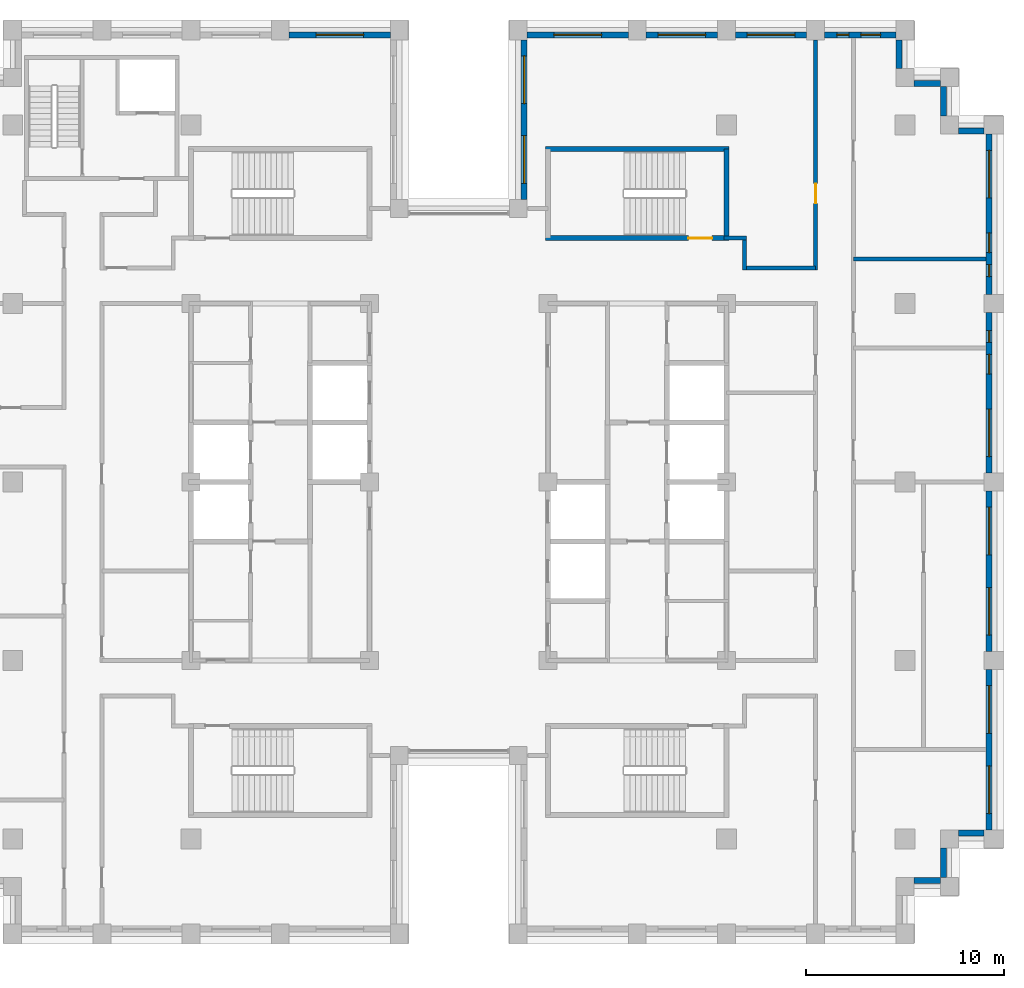
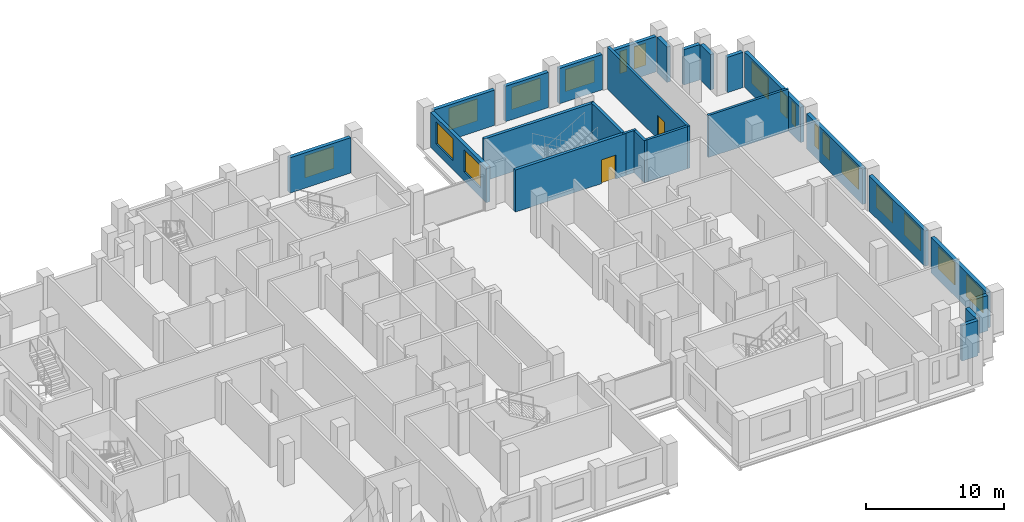
# One storey, part 11 of 15: 25 walls, 18 windows, 2 doors, 20 openings.
"""IFC4 building model written with IfcOpenShell, lengths in metres."""

from ifc_helpers import new_model, si_unit, direction, frame, frame_2d, origin, place, context, subcontext, project, spatial, rectangle, extrude, material, layer, layer_set, type_object, element, fill, save


model = new_model("IFC4")

# Units and contexts
model_context = context("Model", 3, precision=1e-05, world=origin(), true_north=direction((0.0, 1.0)))
body_context = subcontext(model_context, "Body", "Model", "MODEL_VIEW")
ifc_project = project(units=[si_unit("LENGTHUNIT", "METRE"), si_unit("AREAUNIT", "SQUARE_METRE"), si_unit("VOLUMEUNIT", "CUBIC_METRE"), si_unit("PLANEANGLEUNIT", "RADIAN"), si_unit("MASSUNIT", "GRAM", prefix="KILO")], contexts=[model_context])

# Site, building, storey
site_placement = place(None, origin())
site = spatial("IfcSite", under=ifc_project, at=site_placement, CompositionType="ELEMENT")
building_placement = place(site_placement, origin())
building = spatial("IfcBuilding", under=site, at=building_placement, Name="Corbelhall Arena Tower", CompositionType="ELEMENT")
storey_placement = place(building_placement, frame((0.0, 0.0, 192.0)))
storey = spatial("IfcBuildingStorey", under=building, at=storey_placement, Name="L39", CompositionType="ELEMENT", Elevation=192.0)

# Walls
ifc_material_1 = material(Name="Precast concrete C40/50 with granite facing", Category="masonry")
ifc_layer_1 = layer(ifc_material_1, 0.300048828125)
ifc_layer_set_1 = layer_set([ifc_layer_1], Name="EV-IW1 Infill panel 300")
wall_type_1 = type_object("IfcWallType", Name="EV-IW1 Infill panel 300", PredefinedType="SOLIDWALL", material=ifc_layer_set_1)
wall_1_placement = place(storey_placement, frame((22.949951171875, -20.10009765625, 0.0), z_axis=(0.0, 0.0, 1.0), x_axis=(1.0, 0.0, 0.0)))
element("IfcWall", 1, at=wall_1_placement, inside=storey, type_object=wall_type_1, Name="Infill panel IW1", PredefinedType="SOLIDWALL", context=body_context, shape_type="SweptSolid", body=[
    extrude(rectangle(XDim=1.35009765625, YDim=0.300048828125, at=frame_2d((0.675048828125, 0.0))), origin(), (0.0, 0.0, 1.0), 3.1201171875),
])
wall_2_placement = place(storey_placement, frame((24.449951171875, -19.949951171875, 0.0), z_axis=(0.0, 0.0, 1.0), x_axis=(0.0, 1.0, 0.0)))
element("IfcWall", 2, at=wall_2_placement, inside=storey, type_object=wall_type_1, Name="Infill panel IW1", PredefinedType="SOLIDWALL", context=body_context, shape_type="SweptSolid", body=[
    extrude(rectangle(XDim=1.5, YDim=0.300048828125, at=frame_2d((0.75, 0.0))), origin(), (0.0, 0.0, 1.0), 3.1201171875),
])
wall_3_placement = place(storey_placement, frame((25.199951171875, -17.699951171875, 0.0), z_axis=(0.0, 0.0, 1.0), x_axis=(1.0, 0.0, 0.0)))
element("IfcWall", 3, at=wall_3_placement, inside=storey, type_object=wall_type_1, Name="Infill panel IW1", PredefinedType="SOLIDWALL", context=body_context, shape_type="SweptSolid", body=[
    extrude(rectangle(XDim=1.300048828125, YDim=0.300048828125, at=frame_2d((0.64990234375, 0.0))), origin(), (0.0, 0.0, 1.0), 3.1201171875),
])

# Wall, openings, windows
wall_4_placement = place(storey_placement, frame((26.75, -17.550048828125, 0.0), z_axis=(0.0, 0.0, 1.0), x_axis=(0.0, 1.0, 0.0)))
wall_4 = element("IfcWall", 4, at=wall_4_placement, inside=storey, type_object=wall_type_1, Name="Infill panel IW1", PredefinedType="SOLIDWALL", context=body_context, shape_type="SweptSolid", body=[
    extrude(rectangle(XDim=8.10009765625, YDim=0.300048828125, at=frame_2d((4.050048828125, 0.0))), origin(), (0.0, 0.0, 1.0), 3.1201171875),
])
opening_1_placement = place(wall_4_placement, frame((0.824951171875, 0.0, 0.800048828125)))
opening_1 = element("IfcOpeningElement", 5, at=opening_1_placement, cuts=wall_4, Name="Opening WN1", PredefinedType="OPENING", context=body_context, shape_type="SweptSolid", body=[
    extrude(rectangle(XDim=2.39990234375, YDim=1.949951171875, at=frame_2d((1.199951171875, 0.97509765625))), frame((0.0, 0.14990234375, 0.0), z_axis=(0.0, -1.0, 0.0), x_axis=(1.0, 0.0, 0.0)), (0.0, 0.0, 1.0), 0.300048828125),
])
opening_2_placement = place(wall_4_placement, frame((4.875, 0.0, 0.800048828125)))
opening_2 = element("IfcOpeningElement", 6, at=opening_2_placement, cuts=wall_4, Name="Opening WN1", PredefinedType="OPENING", context=body_context, shape_type="SweptSolid", body=[
    extrude(rectangle(XDim=2.39990234375, YDim=1.949951171875, at=frame_2d((1.199951171875, 0.97509765625))), frame((0.0, 0.14990234375, 0.0), z_axis=(0.0, -1.0, 0.0), x_axis=(1.0, 0.0, 0.0)), (0.0, 0.0, 1.0), 0.300048828125),
])
ifc_material_2 = material(Name="Aluminium black anodised", Category="aluminium")
window_type_1 = type_object("IfcWindowType", Name="EV-WN1 Office window", PartitioningType="SINGLE_PANEL", PredefinedType="WINDOW", material=ifc_material_2)
window_1_placement = place(opening_1_placement, origin())
window_1 = element("IfcWindow", 7, at=window_1_placement, inside=storey, type_object=window_type_1, Name="Window WN1", OverallHeight=1.949951171875, OverallWidth=2.39990234375, PartitioningType="SINGLE_PANEL", PredefinedType="WINDOW", context=body_context, shape_type="SweptSolid", body=[
    extrude(rectangle(XDim=2.39990234375, YDim=1.949951171875, at=frame_2d((1.199951171875, 0.97509765625))), frame((0.0, 0.030029296875, 0.0), z_axis=(0.0, -1.0, 0.0), x_axis=(1.0, 0.0, 0.0)), (0.0, 0.0, 1.0), 0.06005859375),
])
fill(opening_1, window_1)
window_2_placement = place(opening_2_placement, origin())
window_2 = element("IfcWindow", 8, at=window_2_placement, inside=storey, type_object=window_type_1, Name="Window WN1", OverallHeight=1.949951171875, OverallWidth=2.39990234375, PartitioningType="SINGLE_PANEL", PredefinedType="WINDOW", context=body_context, shape_type="SweptSolid", body=[
    extrude(rectangle(XDim=2.39990234375, YDim=1.949951171875, at=frame_2d((1.199951171875, 0.97509765625))), frame((0.0, 0.030029296875, 0.0), z_axis=(0.0, -1.0, 0.0), x_axis=(1.0, 0.0, 0.0)), (0.0, 0.0, 1.0), 0.06005859375),
])
fill(opening_2, window_2)

wall_5_placement = place(storey_placement, frame((26.75, -8.550048828125, 0.0), z_axis=(0.0, 0.0, 1.0), x_axis=(0.0, 1.0, 0.0)))
wall_5 = element("IfcWall", 9, at=wall_5_placement, inside=storey, type_object=wall_type_1, Name="Infill panel IW1", PredefinedType="SOLIDWALL", context=body_context, shape_type="SweptSolid", body=[
    extrude(rectangle(XDim=8.10009765625, YDim=0.300048828125, at=frame_2d((4.050048828125, 0.0))), origin(), (0.0, 0.0, 1.0), 3.1201171875),
])
opening_3_placement = place(wall_5_placement, frame((0.824951171875, 0.0, 0.800048828125)))
opening_3 = element("IfcOpeningElement", 10, at=opening_3_placement, cuts=wall_5, Name="Opening WN1", PredefinedType="OPENING", context=body_context, shape_type="SweptSolid", body=[
    extrude(rectangle(XDim=2.39990234375, YDim=1.949951171875, at=frame_2d((1.199951171875, 0.97509765625))), frame((0.0, 0.14990234375, 0.0), z_axis=(0.0, -1.0, 0.0), x_axis=(1.0, 0.0, 0.0)), (0.0, 0.0, 1.0), 0.300048828125),
])
opening_4_placement = place(wall_5_placement, frame((4.875, 0.0, 0.800048828125)))
opening_4 = element("IfcOpeningElement", 11, at=opening_4_placement, cuts=wall_5, Name="Opening WN1", PredefinedType="OPENING", context=body_context, shape_type="SweptSolid", body=[
    extrude(rectangle(XDim=2.39990234375, YDim=1.949951171875, at=frame_2d((1.199951171875, 0.97509765625))), frame((0.0, 0.14990234375, 0.0), z_axis=(0.0, -1.0, 0.0), x_axis=(1.0, 0.0, 0.0)), (0.0, 0.0, 1.0), 0.300048828125),
])
window_3_placement = place(opening_3_placement, origin())
window_3 = element("IfcWindow", 12, at=window_3_placement, inside=storey, type_object=window_type_1, Name="Window WN1", OverallHeight=1.949951171875, OverallWidth=2.39990234375, PartitioningType="SINGLE_PANEL", PredefinedType="WINDOW", context=body_context, shape_type="SweptSolid", body=[
    extrude(rectangle(XDim=2.39990234375, YDim=1.949951171875, at=frame_2d((1.199951171875, 0.97509765625))), frame((0.0, 0.030029296875, 0.0), z_axis=(0.0, -1.0, 0.0), x_axis=(1.0, 0.0, 0.0)), (0.0, 0.0, 1.0), 0.06005859375),
])
fill(opening_3, window_3)
window_4_placement = place(opening_4_placement, origin())
window_4 = element("IfcWindow", 13, at=window_4_placement, inside=storey, type_object=window_type_1, Name="Window WN1", OverallHeight=1.949951171875, OverallWidth=2.39990234375, PartitioningType="SINGLE_PANEL", PredefinedType="WINDOW", context=body_context, shape_type="SweptSolid", body=[
    extrude(rectangle(XDim=2.39990234375, YDim=1.949951171875, at=frame_2d((1.199951171875, 0.97509765625))), frame((0.0, 0.030029296875, 0.0), z_axis=(0.0, -1.0, 0.0), x_axis=(1.0, 0.0, 0.0)), (0.0, 0.0, 1.0), 0.06005859375),
])
fill(opening_4, window_4)

wall_6_placement = place(storey_placement, frame((26.75, 0.449951171875, 0.0), z_axis=(0.0, 0.0, 1.0), x_axis=(0.0, 1.0, 0.0)))
wall_6 = element("IfcWall", 14, at=wall_6_placement, inside=storey, type_object=wall_type_1, Name="Infill panel IW1", PredefinedType="SOLIDWALL", context=body_context, shape_type="SweptSolid", body=[
    extrude(rectangle(XDim=8.10009765625, YDim=0.300048828125, at=frame_2d((4.050048828125, 0.0))), origin(), (0.0, 0.0, 1.0), 3.1201171875),
])
opening_5_placement = place(wall_6_placement, frame((0.824951171875, 0.0, 0.800048828125)))
opening_5 = element("IfcOpeningElement", 15, at=opening_5_placement, cuts=wall_6, Name="Opening WN1", PredefinedType="OPENING", context=body_context, shape_type="SweptSolid", body=[
    extrude(rectangle(XDim=2.39990234375, YDim=1.949951171875, at=frame_2d((1.199951171875, 0.97509765625))), frame((0.0, 0.14990234375, 0.0), z_axis=(0.0, -1.0, 0.0), x_axis=(1.0, 0.0, 0.0)), (0.0, 0.0, 1.0), 0.300048828125),
])
opening_6_placement = place(wall_6_placement, frame((4.987548828125, 0.0, 0.800048828125)))
opening_6 = element("IfcOpeningElement", 16, at=opening_6_placement, cuts=wall_6, Name="Opening WN6", PredefinedType="OPENING", context=body_context, shape_type="SweptSolid", body=[
    extrude(rectangle(XDim=1.0, YDim=1.949951171875, at=frame_2d((0.5, 0.97509765625))), frame((0.0, 0.14990234375, 0.0), z_axis=(0.0, -1.0, 0.0), x_axis=(1.0, 0.0, 0.0)), (0.0, 0.0, 1.0), 0.300048828125),
])
opening_7_placement = place(wall_6_placement, frame((6.58740234375, 0.0, 0.800048828125)))
opening_7 = element("IfcOpeningElement", 17, at=opening_7_placement, cuts=wall_6, Name="Opening WN5", PredefinedType="OPENING", context=body_context, shape_type="SweptSolid", body=[
    extrude(rectangle(XDim=0.60009765625, YDim=1.949951171875, at=frame_2d((0.300048828125, 0.97509765625))), frame((0.0, 0.14990234375, 0.0), z_axis=(0.0, -1.0, 0.0), x_axis=(1.0, 0.0, 0.0)), (0.0, 0.0, 1.0), 0.300048828125),
])
window_5_placement = place(opening_5_placement, origin())
window_5 = element("IfcWindow", 18, at=window_5_placement, inside=storey, type_object=window_type_1, Name="Window WN1", OverallHeight=1.949951171875, OverallWidth=2.39990234375, PartitioningType="SINGLE_PANEL", PredefinedType="WINDOW", context=body_context, shape_type="SweptSolid", body=[
    extrude(rectangle(XDim=2.39990234375, YDim=1.949951171875, at=frame_2d((1.199951171875, 0.97509765625))), frame((0.0, 0.030029296875, 0.0), z_axis=(0.0, -1.0, 0.0), x_axis=(1.0, 0.0, 0.0)), (0.0, 0.0, 1.0), 0.06005859375),
])
fill(opening_5, window_5)
window_type_2 = type_object("IfcWindowType", Name="EV-WN5 Office window 600", PartitioningType="SINGLE_PANEL", PredefinedType="WINDOW", material=ifc_material_2)
window_6_placement = place(opening_7_placement, origin())
window_6 = element("IfcWindow", 19, at=window_6_placement, inside=storey, type_object=window_type_2, Name="Window WN5", OverallHeight=1.949951171875, OverallWidth=0.60009765625, PartitioningType="SINGLE_PANEL", PredefinedType="WINDOW", context=body_context, shape_type="SweptSolid", body=[
    extrude(rectangle(XDim=0.60009765625, YDim=1.949951171875, at=frame_2d((0.300048828125, 0.97509765625))), frame((0.0, 0.030029296875, 0.0), z_axis=(0.0, -1.0, 0.0), x_axis=(1.0, 0.0, 0.0)), (0.0, 0.0, 1.0), 0.06005859375),
])
fill(opening_7, window_6)
window_type_3 = type_object("IfcWindowType", Name="EV-WN6 Office window 1000", PartitioningType="SINGLE_PANEL", PredefinedType="WINDOW", material=ifc_material_2)
window_7_placement = place(opening_6_placement, origin())
window_7 = element("IfcWindow", 20, at=window_7_placement, inside=storey, type_object=window_type_3, Name="Window WN6", OverallHeight=1.949951171875, OverallWidth=1.0, PartitioningType="SINGLE_PANEL", PredefinedType="WINDOW", context=body_context, shape_type="SweptSolid", body=[
    extrude(rectangle(XDim=1.0, YDim=1.949951171875, at=frame_2d((0.5, 0.97509765625))), frame((0.0, 0.030029296875, 0.0), z_axis=(0.0, -1.0, 0.0), x_axis=(1.0, 0.0, 0.0)), (0.0, 0.0, 1.0), 0.06005859375),
])
fill(opening_6, window_7)

wall_7_placement = place(storey_placement, frame((26.75, 9.449951171875, 0.0), z_axis=(0.0, 0.0, 1.0), x_axis=(0.0, 1.0, 0.0)))
wall_7 = element("IfcWall", 21, at=wall_7_placement, inside=storey, type_object=wall_type_1, Name="Infill panel IW1", PredefinedType="SOLIDWALL", context=body_context, shape_type="SweptSolid", body=[
    extrude(rectangle(XDim=8.10009765625, YDim=0.300048828125, at=frame_2d((4.050048828125, 0.0))), origin(), (0.0, 0.0, 1.0), 3.1201171875),
])
opening_8_placement = place(wall_7_placement, frame((4.875, 0.0, 0.800048828125)))
opening_8 = element("IfcOpeningElement", 22, at=opening_8_placement, cuts=wall_7, Name="Opening WN1", PredefinedType="OPENING", context=body_context, shape_type="SweptSolid", body=[
    extrude(rectangle(XDim=2.39990234375, YDim=1.949951171875, at=frame_2d((1.199951171875, 0.97509765625))), frame((0.0, 0.14990234375, 0.0), z_axis=(0.0, -1.0, 0.0), x_axis=(1.0, 0.0, 0.0)), (0.0, 0.0, 1.0), 0.300048828125),
])
opening_9_placement = place(wall_7_placement, frame((0.91259765625, 0.0, 0.800048828125)))
opening_9 = element("IfcOpeningElement", 23, at=opening_9_placement, cuts=wall_7, Name="Opening WN5", PredefinedType="OPENING", context=body_context, shape_type="SweptSolid", body=[
    extrude(rectangle(XDim=0.60009765625, YDim=1.949951171875, at=frame_2d((0.300048828125, 0.97509765625))), frame((0.0, 0.14990234375, 0.0), z_axis=(0.0, -1.0, 0.0), x_axis=(1.0, 0.0, 0.0)), (0.0, 0.0, 1.0), 0.300048828125),
])
opening_10_placement = place(wall_7_placement, frame((2.112548828125, 0.0, 0.800048828125)))
opening_10 = element("IfcOpeningElement", 24, at=opening_10_placement, cuts=wall_7, Name="Opening WN6", PredefinedType="OPENING", context=body_context, shape_type="SweptSolid", body=[
    extrude(rectangle(XDim=1.0, YDim=1.949951171875, at=frame_2d((0.5, 0.97509765625))), frame((0.0, 0.14990234375, 0.0), z_axis=(0.0, -1.0, 0.0), x_axis=(1.0, 0.0, 0.0)), (0.0, 0.0, 1.0), 0.300048828125),
])
window_8_placement = place(opening_8_placement, origin())
window_8 = element("IfcWindow", 25, at=window_8_placement, inside=storey, type_object=window_type_1, Name="Window WN1", OverallHeight=1.949951171875, OverallWidth=2.39990234375, PartitioningType="SINGLE_PANEL", PredefinedType="WINDOW", context=body_context, shape_type="SweptSolid", body=[
    extrude(rectangle(XDim=2.39990234375, YDim=1.949951171875, at=frame_2d((1.199951171875, 0.97509765625))), frame((0.0, 0.030029296875, 0.0), z_axis=(0.0, -1.0, 0.0), x_axis=(1.0, 0.0, 0.0)), (0.0, 0.0, 1.0), 0.06005859375),
])
fill(opening_8, window_8)
window_9_placement = place(opening_9_placement, origin())
window_9 = element("IfcWindow", 26, at=window_9_placement, inside=storey, type_object=window_type_2, Name="Window WN5", OverallHeight=1.949951171875, OverallWidth=0.60009765625, PartitioningType="SINGLE_PANEL", PredefinedType="WINDOW", context=body_context, shape_type="SweptSolid", body=[
    extrude(rectangle(XDim=0.60009765625, YDim=1.949951171875, at=frame_2d((0.300048828125, 0.97509765625))), frame((0.0, 0.030029296875, 0.0), z_axis=(0.0, -1.0, 0.0), x_axis=(1.0, 0.0, 0.0)), (0.0, 0.0, 1.0), 0.06005859375),
])
fill(opening_9, window_9)
window_10_placement = place(opening_10_placement, origin())
window_10 = element("IfcWindow", 27, at=window_10_placement, inside=storey, type_object=window_type_3, Name="Window WN6", OverallHeight=1.949951171875, OverallWidth=1.0, PartitioningType="SINGLE_PANEL", PredefinedType="WINDOW", context=body_context, shape_type="SweptSolid", body=[
    extrude(rectangle(XDim=1.0, YDim=1.949951171875, at=frame_2d((0.5, 0.97509765625))), frame((0.0, 0.030029296875, 0.0), z_axis=(0.0, -1.0, 0.0), x_axis=(1.0, 0.0, 0.0)), (0.0, 0.0, 1.0), 0.06005859375),
])
fill(opening_10, window_10)

# Walls
wall_8_placement = place(storey_placement, frame((26.5, 17.699951171875, 0.0), z_axis=(0.0, 0.0, 1.0), x_axis=(-1.0, 0.0, 0.0)))
element("IfcWall", 28, at=wall_8_placement, inside=storey, type_object=wall_type_1, Name="Infill panel IW1", PredefinedType="SOLIDWALL", context=body_context, shape_type="SweptSolid", body=[
    extrude(rectangle(XDim=1.300048828125, YDim=0.300048828125, at=frame_2d((0.64990234375, 0.0))), origin(), (0.0, 0.0, 1.0), 3.1201171875),
])
wall_9_placement = place(storey_placement, frame((24.449951171875, 18.449951171875, 0.0), z_axis=(0.0, 0.0, 1.0), x_axis=(0.0, 1.0, 0.0)))
element("IfcWall", 29, at=wall_9_placement, inside=storey, type_object=wall_type_1, Name="Infill panel IW1", PredefinedType="SOLIDWALL", context=body_context, shape_type="SweptSolid", body=[
    extrude(rectangle(XDim=1.5, YDim=0.300048828125, at=frame_2d((0.75, 0.0))), origin(), (0.0, 0.0, 1.0), 3.1201171875),
])
wall_10_placement = place(storey_placement, frame((24.300048828125, 20.10009765625, 0.0), z_axis=(0.0, 0.0, 1.0), x_axis=(-1.0, 0.0, 0.0)))
element("IfcWall", 30, at=wall_10_placement, inside=storey, type_object=wall_type_1, Name="Infill panel IW1", PredefinedType="SOLIDWALL", context=body_context, shape_type="SweptSolid", body=[
    extrude(rectangle(XDim=1.35009765625, YDim=0.300048828125, at=frame_2d((0.675048828125, 0.0))), origin(), (0.0, 0.0, 1.0), 3.1201171875),
])
wall_11_placement = place(storey_placement, frame((22.199951171875, 20.85009765625, 0.0), z_axis=(0.0, 0.0, 1.0), x_axis=(0.0, 1.0, 0.0)))
element("IfcWall", 31, at=wall_11_placement, inside=storey, type_object=wall_type_1, Name="Infill panel IW1", PredefinedType="SOLIDWALL", context=body_context, shape_type="SweptSolid", body=[
    extrude(rectangle(XDim=1.449951171875, YDim=0.300048828125, at=frame_2d((0.72509765625, 0.0))), origin(), (0.0, 0.0, 1.0), 3.1201171875),
])

# Wall, openings, windows
wall_12_placement = place(storey_placement, frame((22.050048828125, 22.550048828125, 0.0), z_axis=(0.0, 0.0, 1.0), x_axis=(-1.0, 0.0, 0.0)))
wall_12 = element("IfcWall", 32, at=wall_12_placement, inside=storey, type_object=wall_type_1, Name="Infill panel IW1", PredefinedType="SOLIDWALL", context=body_context, shape_type="SweptSolid", body=[
    extrude(rectangle(XDim=3.60009765625, YDim=0.300048828125, at=frame_2d((1.800048828125, 0.0))), origin(), (0.0, 0.0, 1.0), 3.1201171875),
])
opening_11_placement = place(wall_12_placement, frame((0.77490234375, 0.0, 0.800048828125)))
opening_11 = element("IfcOpeningElement", 33, at=opening_11_placement, cuts=wall_12, Name="Opening WN6", PredefinedType="OPENING", context=body_context, shape_type="SweptSolid", body=[
    extrude(rectangle(XDim=1.0, YDim=1.949951171875, at=frame_2d((0.5, 0.97509765625))), frame((0.0, 0.14990234375, 0.0), z_axis=(0.0, -1.0, 0.0), x_axis=(1.0, 0.0, 0.0)), (0.0, 0.0, 1.0), 0.300048828125),
])
opening_12_placement = place(wall_12_placement, frame((2.375, 0.0, 0.800048828125)))
opening_12 = element("IfcOpeningElement", 34, at=opening_12_placement, cuts=wall_12, Name="Opening WN5", PredefinedType="OPENING", context=body_context, shape_type="SweptSolid", body=[
    extrude(rectangle(XDim=0.60009765625, YDim=1.949951171875, at=frame_2d((0.300048828125, 0.97509765625))), frame((0.0, 0.14990234375, 0.0), z_axis=(0.0, -1.0, 0.0), x_axis=(1.0, 0.0, 0.0)), (0.0, 0.0, 1.0), 0.300048828125),
])
window_11_placement = place(opening_12_placement, origin())
window_11 = element("IfcWindow", 35, at=window_11_placement, inside=storey, type_object=window_type_2, Name="Window WN5", OverallHeight=1.949951171875, OverallWidth=0.60009765625, PartitioningType="SINGLE_PANEL", PredefinedType="WINDOW", context=body_context, shape_type="SweptSolid", body=[
    extrude(rectangle(XDim=0.60009765625, YDim=1.949951171875, at=frame_2d((0.300048828125, 0.97509765625))), frame((0.0, 0.030029296875, 0.0), z_axis=(0.0, -1.0, 0.0), x_axis=(1.0, 0.0, 0.0)), (0.0, 0.0, 1.0), 0.06005859375),
])
fill(opening_12, window_11)
window_12_placement = place(opening_11_placement, origin())
window_12 = element("IfcWindow", 36, at=window_12_placement, inside=storey, type_object=window_type_3, Name="Window WN6", OverallHeight=1.949951171875, OverallWidth=1.0, PartitioningType="SINGLE_PANEL", PredefinedType="WINDOW", context=body_context, shape_type="SweptSolid", body=[
    extrude(rectangle(XDim=1.0, YDim=1.949951171875, at=frame_2d((0.5, 0.97509765625))), frame((0.0, 0.030029296875, 0.0), z_axis=(0.0, -1.0, 0.0), x_axis=(1.0, 0.0, 0.0)), (0.0, 0.0, 1.0), 0.06005859375),
])
fill(opening_11, window_12)

# Wall, opening, window
wall_13_placement = place(storey_placement, frame((17.550048828125, 22.550048828125, 0.0), z_axis=(0.0, 0.0, 1.0), x_axis=(-1.0, 0.0, 0.0)))
wall_13 = element("IfcWall", 37, at=wall_13_placement, inside=storey, type_object=wall_type_1, Name="Infill panel IW1", PredefinedType="SOLIDWALL", context=body_context, shape_type="SweptSolid", body=[
    extrude(rectangle(XDim=3.60009765625, YDim=0.300048828125, at=frame_2d((1.800048828125, 0.0))), origin(), (0.0, 0.0, 1.0), 3.1201171875),
])
opening_13_placement = place(wall_13_placement, frame((0.60009765625, 0.0, 0.800048828125)))
opening_13 = element("IfcOpeningElement", 38, at=opening_13_placement, cuts=wall_13, Name="Opening WN1", PredefinedType="OPENING", context=body_context, shape_type="SweptSolid", body=[
    extrude(rectangle(XDim=2.39990234375, YDim=1.949951171875, at=frame_2d((1.199951171875, 0.97509765625))), frame((0.0, 0.14990234375, 0.0), z_axis=(0.0, -1.0, 0.0), x_axis=(1.0, 0.0, 0.0)), (0.0, 0.0, 1.0), 0.300048828125),
])
window_13_placement = place(opening_13_placement, origin())
window_13 = element("IfcWindow", 39, at=window_13_placement, inside=storey, type_object=window_type_1, Name="Window WN1", OverallHeight=1.949951171875, OverallWidth=2.39990234375, PartitioningType="SINGLE_PANEL", PredefinedType="WINDOW", context=body_context, shape_type="SweptSolid", body=[
    extrude(rectangle(XDim=2.39990234375, YDim=1.949951171875, at=frame_2d((1.199951171875, 0.97509765625))), frame((0.0, 0.030029296875, 0.0), z_axis=(0.0, -1.0, 0.0), x_axis=(1.0, 0.0, 0.0)), (0.0, 0.0, 1.0), 0.06005859375),
])
fill(opening_13, window_13)

wall_14_placement = place(storey_placement, frame((13.050048828125, 22.550048828125, 0.0), z_axis=(0.0, 0.0, 1.0), x_axis=(-1.0, 0.0, 0.0)))
wall_14 = element("IfcWall", 40, at=wall_14_placement, inside=storey, type_object=wall_type_1, Name="Infill panel IW1", PredefinedType="SOLIDWALL", context=body_context, shape_type="SweptSolid", body=[
    extrude(rectangle(XDim=3.60009765625, YDim=0.300048828125, at=frame_2d((1.800048828125, 0.0))), origin(), (0.0, 0.0, 1.0), 3.1201171875),
])
opening_14_placement = place(wall_14_placement, frame((0.60009765625, 0.0, 0.800048828125)))
opening_14 = element("IfcOpeningElement", 41, at=opening_14_placement, cuts=wall_14, Name="Opening WN1", PredefinedType="OPENING", context=body_context, shape_type="SweptSolid", body=[
    extrude(rectangle(XDim=2.39990234375, YDim=1.949951171875, at=frame_2d((1.199951171875, 0.97509765625))), frame((0.0, 0.14990234375, 0.0), z_axis=(0.0, -1.0, 0.0), x_axis=(1.0, 0.0, 0.0)), (0.0, 0.0, 1.0), 0.300048828125),
])
window_14_placement = place(opening_14_placement, origin())
window_14 = element("IfcWindow", 42, at=window_14_placement, inside=storey, type_object=window_type_1, Name="Window WN1", OverallHeight=1.949951171875, OverallWidth=2.39990234375, PartitioningType="SINGLE_PANEL", PredefinedType="WINDOW", context=body_context, shape_type="SweptSolid", body=[
    extrude(rectangle(XDim=2.39990234375, YDim=1.949951171875, at=frame_2d((1.199951171875, 0.97509765625))), frame((0.0, 0.030029296875, 0.0), z_axis=(0.0, -1.0, 0.0), x_axis=(1.0, 0.0, 0.0)), (0.0, 0.0, 1.0), 0.06005859375),
])
fill(opening_14, window_14)

wall_15_placement = place(storey_placement, frame((8.550048828125, 22.550048828125, 0.0), z_axis=(0.0, 0.0, 1.0), x_axis=(-1.0, 0.0, 0.0)))
wall_15 = element("IfcWall", 43, at=wall_15_placement, inside=storey, type_object=wall_type_1, Name="Infill panel IW1", PredefinedType="SOLIDWALL", context=body_context, shape_type="SweptSolid", body=[
    extrude(rectangle(XDim=5.10009765625, YDim=0.300048828125, at=frame_2d((2.550048828125, 0.0))), origin(), (0.0, 0.0, 1.0), 3.1201171875),
])
opening_15_placement = place(wall_15_placement, frame((1.35009765625, 0.0, 0.800048828125)))
opening_15 = element("IfcOpeningElement", 44, at=opening_15_placement, cuts=wall_15, Name="Opening WN1", PredefinedType="OPENING", context=body_context, shape_type="SweptSolid", body=[
    extrude(rectangle(XDim=2.39990234375, YDim=1.949951171875, at=frame_2d((1.199951171875, 0.97509765625))), frame((0.0, 0.14990234375, 0.0), z_axis=(0.0, -1.0, 0.0), x_axis=(1.0, 0.0, 0.0)), (0.0, 0.0, 1.0), 0.300048828125),
])
window_15_placement = place(opening_15_placement, origin())
window_15 = element("IfcWindow", 45, at=window_15_placement, inside=storey, type_object=window_type_1, Name="Window WN1", OverallHeight=1.949951171875, OverallWidth=2.39990234375, PartitioningType="SINGLE_PANEL", PredefinedType="WINDOW", context=body_context, shape_type="SweptSolid", body=[
    extrude(rectangle(XDim=2.39990234375, YDim=1.949951171875, at=frame_2d((1.199951171875, 0.97509765625))), frame((0.0, 0.030029296875, 0.0), z_axis=(0.0, -1.0, 0.0), x_axis=(1.0, 0.0, 0.0)), (0.0, 0.0, 1.0), 0.06005859375),
])
fill(opening_15, window_15)

# Wall, openings, windows
wall_16_placement = place(storey_placement, frame((3.300048828125, 22.300048828125, 0.0), z_axis=(0.0, 0.0, 1.0), x_axis=(0.0, -1.0, 0.0)))
wall_16 = element("IfcWall", 46, at=wall_16_placement, inside=storey, type_object=wall_type_1, Name="Infill panel IW1", PredefinedType="SOLIDWALL", context=body_context, shape_type="SweptSolid", body=[
    extrude(rectangle(XDim=8.050048828125, YDim=0.300048828125, at=frame_2d((4.02490234375, 0.0))), origin(), (0.0, 0.0, 1.0), 3.1201171875),
])
opening_16_placement = place(wall_16_placement, frame((0.8125, 0.0, 0.800048828125)))
opening_16 = element("IfcOpeningElement", 47, at=opening_16_placement, cuts=wall_16, Name="Opening WN1", PredefinedType="OPENING", context=body_context, shape_type="SweptSolid", body=[
    extrude(rectangle(XDim=2.39990234375, YDim=1.949951171875, at=frame_2d((1.199951171875, 0.97509765625))), frame((0.0, 0.14990234375, 0.0), z_axis=(0.0, -1.0, 0.0), x_axis=(1.0, 0.0, 0.0)), (0.0, 0.0, 1.0), 0.300048828125),
])
opening_17_placement = place(wall_16_placement, frame((4.83740234375, 0.0, 0.800048828125)))
opening_17 = element("IfcOpeningElement", 48, at=opening_17_placement, cuts=wall_16, Name="Opening WN1", PredefinedType="OPENING", context=body_context, shape_type="SweptSolid", body=[
    extrude(rectangle(XDim=2.39990234375, YDim=1.949951171875, at=frame_2d((1.199951171875, 0.97509765625))), frame((0.0, 0.14990234375, 0.0), z_axis=(0.0, -1.0, 0.0), x_axis=(1.0, 0.0, 0.0)), (0.0, 0.0, 1.0), 0.300048828125),
])
window_16_placement = place(opening_16_placement, origin())
window_16 = element("IfcWindow", 49, at=window_16_placement, inside=storey, type_object=window_type_1, Name="Window WN1", OverallHeight=1.949951171875, OverallWidth=2.39990234375, PartitioningType="SINGLE_PANEL", PredefinedType="WINDOW", context=body_context, shape_type="SweptSolid", body=[
    extrude(rectangle(XDim=2.39990234375, YDim=1.949951171875, at=frame_2d((1.199951171875, 0.97509765625))), frame((0.0, 0.030029296875, 0.0), z_axis=(0.0, -1.0, 0.0), x_axis=(1.0, 0.0, 0.0)), (0.0, 0.0, 1.0), 0.06005859375),
])
fill(opening_16, window_16)
window_17_placement = place(opening_17_placement, origin())
window_17 = element("IfcWindow", 50, at=window_17_placement, inside=storey, type_object=window_type_1, Name="Window WN1", OverallHeight=1.949951171875, OverallWidth=2.39990234375, PartitioningType="SINGLE_PANEL", PredefinedType="WINDOW", context=body_context, shape_type="SweptSolid", body=[
    extrude(rectangle(XDim=2.39990234375, YDim=1.949951171875, at=frame_2d((1.199951171875, 0.97509765625))), frame((0.0, 0.030029296875, 0.0), z_axis=(0.0, -1.0, 0.0), x_axis=(1.0, 0.0, 0.0)), (0.0, 0.0, 1.0), 0.06005859375),
])
fill(opening_17, window_17)

# Wall, opening, window
wall_17_placement = place(storey_placement, frame((-3.449951171875, 22.550048828125, 0.0), z_axis=(0.0, 0.0, 1.0), x_axis=(-1.0, 0.0, 0.0)))
wall_17 = element("IfcWall", 51, at=wall_17_placement, inside=storey, type_object=wall_type_1, Name="Infill panel IW1", PredefinedType="SOLIDWALL", context=body_context, shape_type="SweptSolid", body=[
    extrude(rectangle(XDim=5.10009765625, YDim=0.300048828125, at=frame_2d((2.550048828125, 0.0))), origin(), (0.0, 0.0, 1.0), 3.1201171875),
])
opening_18_placement = place(wall_17_placement, frame((1.35009765625, 0.0, 0.800048828125)))
opening_18 = element("IfcOpeningElement", 52, at=opening_18_placement, cuts=wall_17, Name="Opening WN1", PredefinedType="OPENING", context=body_context, shape_type="SweptSolid", body=[
    extrude(rectangle(XDim=2.39990234375, YDim=1.949951171875, at=frame_2d((1.199951171875, 0.97509765625))), frame((0.0, 0.14990234375, 0.0), z_axis=(0.0, -1.0, 0.0), x_axis=(1.0, 0.0, 0.0)), (0.0, 0.0, 1.0), 0.300048828125),
])
window_18_placement = place(opening_18_placement, origin())
window_18 = element("IfcWindow", 53, at=window_18_placement, inside=storey, type_object=window_type_1, Name="Window WN1", OverallHeight=1.949951171875, OverallWidth=2.39990234375, PartitioningType="SINGLE_PANEL", PredefinedType="WINDOW", context=body_context, shape_type="SweptSolid", body=[
    extrude(rectangle(XDim=2.39990234375, YDim=1.949951171875, at=frame_2d((1.199951171875, 0.97509765625))), frame((0.0, 0.030029296875, 0.0), z_axis=(0.0, -1.0, 0.0), x_axis=(1.0, 0.0, 0.0)), (0.0, 0.0, 1.0), 0.06005859375),
])
fill(opening_18, window_18)

# Walls
ifc_material_3 = material(Name="Gypsum board on steel stud, acoustic", Category="steel")
ifc_layer_2 = layer(ifc_material_3, 0.199951171875)
ifc_layer_set_2 = layer_set([ifc_layer_2], Name="IN-W-DM200")
wall_type_2 = type_object("IfcWallType", Name="IN-W-DM200", PredefinedType="PARTITIONING", material=ifc_layer_set_2)
wall_18_placement = place(storey_placement, frame((13.375, 12.300048828125, 0.0), z_axis=(0.0, 0.0, 1.0), x_axis=(1.0, 0.0, 0.0)))
element("IfcWall", 54, at=wall_18_placement, inside=storey, type_object=wall_type_2, Name="Partition 037", PredefinedType="PARTITIONING", context=body_context, shape_type="SweptSolid", body=[
    extrude(rectangle(XDim=1.125, YDim=0.199951171875, at=frame_2d((0.5625, 0.0))), origin(), (0.0, 0.0, 1.0), 3.719970703125),
])
wall_19_placement = place(storey_placement, frame((14.39990234375, 10.800048828125, 0.0), z_axis=(0.0, 0.0, 1.0), x_axis=(1.0, 0.0, 0.0)))
element("IfcWall", 55, at=wall_19_placement, inside=storey, type_object=wall_type_2, Name="Partition 044", PredefinedType="PARTITIONING", context=body_context, shape_type="SweptSolid", body=[
    extrude(rectangle(XDim=3.60009765625, YDim=0.199951171875, at=frame_2d((1.800048828125, 0.0))), origin(), (0.0, 0.0, 1.0), 3.719970703125),
])
wall_20_placement = place(storey_placement, frame((14.39990234375, 12.300048828125, 0.0), z_axis=(0.0, 0.0, 1.0), x_axis=(0.0, -1.0, 0.0)))
element("IfcWall", 56, at=wall_20_placement, inside=storey, type_object=wall_type_2, Name="Partition 045", PredefinedType="PARTITIONING", context=body_context, shape_type="SweptSolid", body=[
    extrude(rectangle(XDim=1.60009765625, YDim=0.199951171875, at=frame_2d((0.800048828125, 0.0))), origin(), (0.0, 0.0, 1.0), 3.719970703125),
])

# Wall, opening, door
wall_21_placement = place(storey_placement, frame((18.0, 10.699951171875, 0.0), z_axis=(0.0, 0.0, 1.0), x_axis=(0.0, 1.0, 0.0)))
wall_21 = element("IfcWall", 57, at=wall_21_placement, inside=storey, type_object=wall_type_2, Name="Partition 049", PredefinedType="PARTITIONING", context=body_context, shape_type="SweptSolid", body=[
    extrude(rectangle(XDim=11.60009765625, YDim=0.199951171875, at=frame_2d((5.800048828125, 0.0))), origin(), (0.0, 0.0, 1.0), 3.719970703125),
])
opening_19_placement = place(wall_21_placement, frame((3.35009765625, 0.0, 0.0)))
opening_19 = element("IfcOpeningElement", 58, at=opening_19_placement, cuts=wall_21, Name="Opening 11028", PredefinedType="OPENING", context=body_context, shape_type="SweptSolid", body=[
    extrude(rectangle(XDim=1.0, YDim=2.10009765625, at=frame_2d((0.5, 1.050048828125))), frame((0.0, 0.10009765625, 0.0), z_axis=(0.0, -1.0, 0.0), x_axis=(1.0, 0.0, 0.0)), (0.0, 0.0, 1.0), 0.199951171875),
])
ifc_material_4 = material(Name="Steel door set", Category="steel")
door_type_1 = type_object("IfcDoorType", Name="IN-D-SW100", OperationType="NOTDEFINED", PredefinedType="DOOR", material=ifc_material_4)
door_1_placement = place(opening_19_placement, origin())
door_1 = element("IfcDoor", 59, at=door_1_placement, inside=storey, type_object=door_type_1, Name="Door 028", OperationType="SINGLE_SWING_LEFT", OverallHeight=2.10009765625, OverallWidth=1.0, PredefinedType="DOOR", context=body_context, shape_type="SweptSolid", body=[
    extrude(rectangle(XDim=1.0, YDim=2.10009765625, at=frame_2d((0.5, 1.050048828125))), frame((0.0, 0.02490234375, 0.0), z_axis=(0.0, -1.0, 0.0), x_axis=(1.0, 0.0, 0.0)), (0.0, 0.0, 1.0), 0.050048828125),
])
fill(opening_19, door_1)

# Wall
wall_22_placement = place(storey_placement, frame((19.89990234375, 11.25, 0.0), z_axis=(0.0, 0.0, 1.0), x_axis=(1.0, 0.0, 0.0)))
element("IfcWall", 60, at=wall_22_placement, inside=storey, type_object=wall_type_2, Name="Partition 053", PredefinedType="PARTITIONING", context=body_context, shape_type="SweptSolid", body=[
    extrude(rectangle(XDim=6.7001953125, YDim=0.199951171875, at=frame_2d((3.35009765625, 0.0))), origin(), (0.0, 0.0, 1.0), 3.719970703125),
])

# Wall, opening, door
ifc_material_5 = material(Name="Concrete C40/50", Category="concrete")
ifc_layer_3 = layer(ifc_material_5, 0.25)
ifc_layer_set_3 = layer_set([ifc_layer_3], Name="IN-W-ST250")
wall_type_3 = type_object("IfcWallType", Name="IN-W-ST250", PredefinedType="SOLIDWALL", material=ifc_layer_set_3)
wall_23_placement = place(storey_placement, frame((4.375, 12.300048828125, 0.0), z_axis=(0.0, 0.0, 1.0), x_axis=(1.0, 0.0, 0.0)))
wall_23 = element("IfcWall", 61, at=wall_23_placement, inside=storey, type_object=wall_type_3, Name="Shaft wall 111", PredefinedType="SOLIDWALL", context=body_context, shape_type="SweptSolid", body=[
    extrude(rectangle(XDim=9.25, YDim=0.25, at=frame_2d((4.625, 0.0))), origin(), (0.0, 0.0, 1.0), 3.719970703125),
])
opening_20_placement = place(wall_23_placement, frame((7.199951171875, 0.0, 0.0)))
opening_20 = element("IfcOpeningElement", 62, at=opening_20_placement, cuts=wall_23, Name="Opening 11018", PredefinedType="OPENING", context=body_context, shape_type="SweptSolid", body=[
    extrude(rectangle(XDim=1.199951171875, YDim=2.10009765625, at=frame_2d((0.60009765625, 1.050048828125))), frame((0.0, 0.125, 0.0), z_axis=(0.0, -1.0, 0.0), x_axis=(1.0, 0.0, 0.0)), (0.0, 0.0, 1.0), 0.25),
])
door_type_2 = type_object("IfcDoorType", Name="IN-D-ST120", OperationType="NOTDEFINED", PredefinedType="DOOR", material=ifc_material_4)
door_2_placement = place(opening_20_placement, origin())
door_2 = element("IfcDoor", 63, at=door_2_placement, inside=storey, type_object=door_type_2, Name="Door 018", OperationType="SINGLE_SWING_LEFT", OverallHeight=2.10009765625, OverallWidth=1.199951171875, PredefinedType="DOOR", context=body_context, shape_type="SweptSolid", body=[
    extrude(rectangle(XDim=1.199951171875, YDim=2.10009765625, at=frame_2d((0.60009765625, 1.050048828125))), frame((0.0, 0.02490234375, 0.0), z_axis=(0.0, -1.0, 0.0), x_axis=(1.0, 0.0, 0.0)), (0.0, 0.0, 1.0), 0.050048828125),
])
fill(opening_20, door_2)

# Walls
wall_24_placement = place(storey_placement, frame((4.375, 16.800048828125, 0.0), z_axis=(0.0, 0.0, 1.0), x_axis=(1.0, 0.0, 0.0)))
element("IfcWall", 64, at=wall_24_placement, inside=storey, type_object=wall_type_3, Name="Shaft wall 112", PredefinedType="SOLIDWALL", context=body_context, shape_type="SweptSolid", body=[
    extrude(rectangle(XDim=9.25, YDim=0.25, at=frame_2d((4.625, 0.0))), origin(), (0.0, 0.0, 1.0), 3.719970703125),
])
wall_25_placement = place(storey_placement, frame((13.5, 16.800048828125, 0.0), z_axis=(0.0, 0.0, 1.0), x_axis=(0.0, -1.0, 0.0)))
element("IfcWall", 65, at=wall_25_placement, inside=storey, type_object=wall_type_3, Name="Shaft wall 117", PredefinedType="SOLIDWALL", context=body_context, shape_type="SweptSolid", body=[
    extrude(rectangle(XDim=4.5, YDim=0.25, at=frame_2d((2.25, 0.0))), origin(), (0.0, 0.0, 1.0), 3.719970703125),
])

save(model, "model.ifc")
